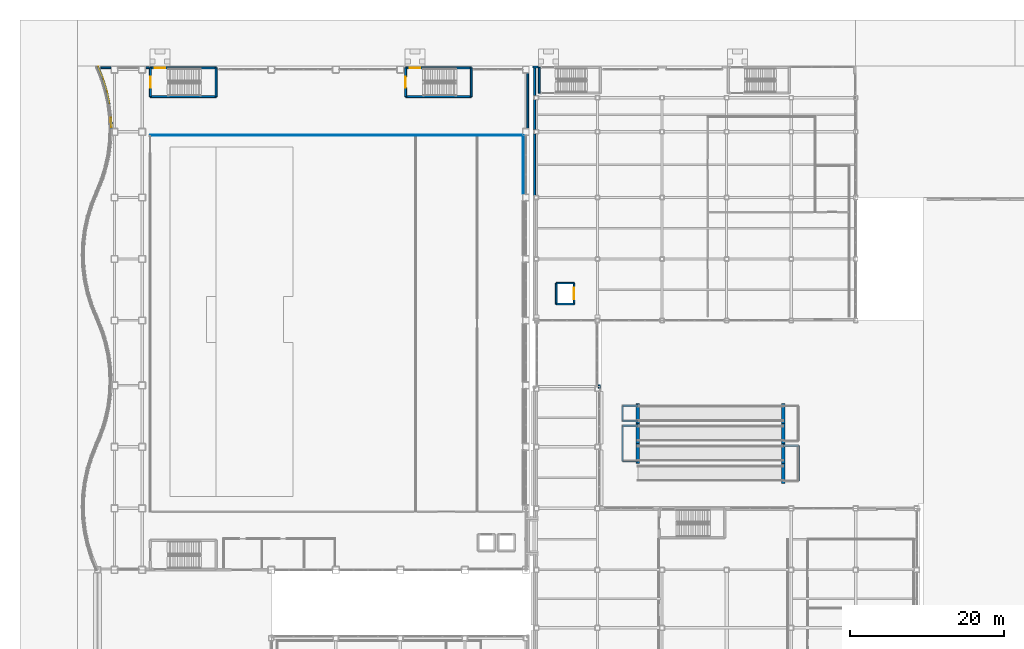
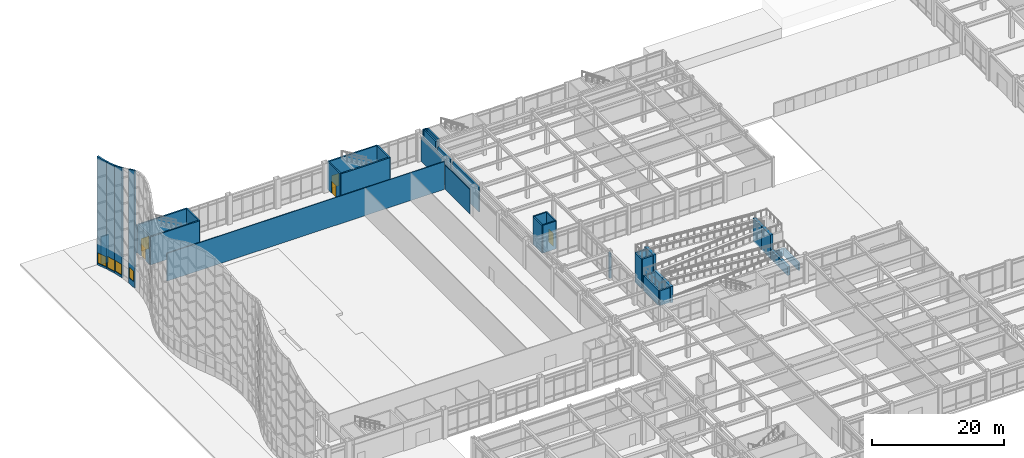
# One storey, part 132 of 165: 42 walls, 5 doors, 4 windows, 9 openings.
"""IFC4 building model written with IfcOpenShell, lengths in metres."""

from ifc_helpers import new_model, si_unit, direction, frame, frame_2d, origin, place, context, subcontext, project, spatial, polyline, rectangle, outline, extrude, material, layer, layer_set, type_object, element, fill, save


model = new_model("IFC4")

# Units and contexts
model_context = context("Model", 3, precision=1e-05, world=origin(), true_north=direction((0.0, 1.0)))
body_context = subcontext(model_context, "Body", "Model", "MODEL_VIEW")
ifc_project = project(units=[si_unit("LENGTHUNIT", "METRE"), si_unit("AREAUNIT", "SQUARE_METRE"), si_unit("VOLUMEUNIT", "CUBIC_METRE"), si_unit("PLANEANGLEUNIT", "RADIAN"), si_unit("MASSUNIT", "GRAM", prefix="KILO")], contexts=[model_context])

# Site, building, storey
site_placement = place(None, origin())
site = spatial("IfcSite", under=ifc_project, at=site_placement, CompositionType="ELEMENT")
building_placement = place(site_placement, origin())
building = spatial("IfcBuilding", under=site, at=building_placement, Name="Kazehara Bluff Congress Hotel", CompositionType="ELEMENT")
storey_placement = place(building_placement, origin())
storey = spatial("IfcBuildingStorey", under=building, at=storey_placement, Name="L00", CompositionType="ELEMENT", Elevation=0.0)

# Wall, opening, door
ifc_material_1 = material(Name="Concrete C40/50", Category="concrete")
ifc_layer_1 = layer(ifc_material_1, 0.25)
ifc_layer_set_1 = layer_set([ifc_layer_1], Name="Concrete C40/50")
wall_type_1 = type_object("IfcWallType", Name="TP-CW-RC", PredefinedType="SHEAR", material=ifc_layer_set_1)
wall_1_placement = place(storey_placement, frame((9.47509765625, 110.02490234375, 0.0), z_axis=(0.0, 0.0, 1.0), x_axis=(0.0, 1.0, 0.0)))
wall_1 = element("IfcWall", 1, at=wall_1_placement, inside=storey, type_object=wall_type_1, Name="L00 ST-01 core wall near", PredefinedType="SHEAR", context=body_context, shape_type="SweptSolid", body=[
    extrude(rectangle(XDim=3.75, YDim=0.25, at=frame_2d((1.875, 0.0))), origin(), (0.0, 0.0, 1.0), 5.14990234375),
])
opening_1_placement = place(wall_1_placement, frame((1.175048828125, 0.0, 0.0)))
opening_1 = element("IfcOpeningElement", 2, at=opening_1_placement, cuts=wall_1, Name="Opening FD-03", PredefinedType="OPENING", context=body_context, shape_type="SweptSolid", body=[
    extrude(rectangle(XDim=1.39990234375, YDim=2.25, at=frame_2d((0.699951171875, 1.125))), frame((0.0, 0.135009765625, 0.0), z_axis=(0.0, -1.0, 0.0), x_axis=(1.0, 0.0, 0.0)), (0.0, 0.0, 1.0), 0.27001953125),
])
ifc_material_2 = material(Name="Fire-rated painted steel leaf", Category="steel")
door_type_1 = type_object("IfcDoorType", Name="TP-FD-03", OperationType="NOTDEFINED", PredefinedType="DOOR", material=ifc_material_2)
door_1_placement = place(opening_1_placement, origin())
door_1 = element("IfcDoor", 3, at=door_1_placement, inside=storey, type_object=door_type_1, Name="L00 ST-01 fire stair door", OperationType="SINGLE_SWING_LEFT", OverallHeight=2.25, OverallWidth=1.39990234375, PredefinedType="DOOR", context=body_context, shape_type="SweptSolid", body=[
    extrude(rectangle(XDim=1.39990234375, YDim=2.25, at=frame_2d((0.699951171875, 1.125))), frame((0.0, 0.02490234375, 0.0), z_axis=(0.0, -1.0, 0.0), x_axis=(1.0, 0.0, 0.0)), (0.0, 0.0, 1.0), 0.050048828125),
])
fill(opening_1, door_1)

# Walls
wall_2_placement = place(storey_placement, frame((18.02490234375, 113.77490234375, 0.0), z_axis=(0.0, 0.0, 1.0), x_axis=(0.0, -1.0, 0.0)))
element("IfcWall", 4, at=wall_2_placement, inside=storey, type_object=wall_type_1, Name="L00 ST-01 core wall far", PredefinedType="SHEAR", context=body_context, shape_type="SweptSolid", body=[
    extrude(rectangle(XDim=3.75, YDim=0.25, at=frame_2d((1.875, 0.0))), origin(), (0.0, 0.0, 1.0), 5.14990234375),
])
wall_3_placement = place(storey_placement, frame((18.02490234375, 110.02490234375, 0.0), z_axis=(0.0, 0.0, 1.0), x_axis=(-1.0, 0.0, 0.0)))
element("IfcWall", 5, at=wall_3_placement, inside=storey, type_object=wall_type_1, Name="L00 ST-01 core wall left", PredefinedType="SHEAR", context=body_context, shape_type="SweptSolid", body=[
    extrude(rectangle(XDim=8.5498046875, YDim=0.25, at=frame_2d((4.27490234375, 0.0))), origin(), (0.0, 0.0, 1.0), 5.14990234375),
])

# Wall, opening, door
wall_4_placement = place(storey_placement, frame((9.47509765625, 113.77490234375, 0.0), z_axis=(0.0, 0.0, 1.0), x_axis=(1.0, 0.0, 0.0)))
wall_4 = element("IfcWall", 6, at=wall_4_placement, inside=storey, type_object=wall_type_1, Name="L00 ST-01 core wall right", PredefinedType="SHEAR", context=body_context, shape_type="SweptSolid", body=[
    extrude(rectangle(XDim=8.5498046875, YDim=0.25, at=frame_2d((4.27490234375, 0.0))), origin(), (0.0, 0.0, 1.0), 5.14990234375),
])
opening_2_placement = place(wall_4_placement, frame((0.550048828125, 0.0, 0.0)))
opening_2 = element("IfcOpeningElement", 7, at=opening_2_placement, cuts=wall_4, Name="Opening ED-09", PredefinedType="OPENING", context=body_context, shape_type="SweptSolid", body=[
    extrude(rectangle(XDim=1.35009765625, YDim=2.300048828125, at=frame_2d((0.675048828125, 1.14990234375))), frame((0.0, 0.135009765625, 0.0), z_axis=(0.0, -1.0, 0.0), x_axis=(1.0, 0.0, 0.0)), (0.0, 0.0, 1.0), 0.27001953125),
])
ifc_material_3 = material(Name="Anodised aluminium", Category="aluminium")
door_type_2 = type_object("IfcDoorType", Name="TP-ED-09", OperationType="NOTDEFINED", PredefinedType="DOOR", material=ifc_material_3)
door_2_placement = place(opening_2_placement, origin())
door_2 = element("IfcDoor", 8, at=door_2_placement, inside=storey, type_object=door_type_2, Name="Escape Stair ST-01 final exit discharge door", OperationType="SINGLE_SWING_LEFT", OverallHeight=2.300048828125, OverallWidth=1.35009765625, PredefinedType="DOOR", context=body_context, shape_type="SweptSolid", body=[
    extrude(rectangle(XDim=1.35009765625, YDim=2.300048828125, at=frame_2d((0.675048828125, 1.14990234375))), frame((0.0, 0.02490234375, 0.0), z_axis=(0.0, -1.0, 0.0), x_axis=(1.0, 0.0, 0.0)), (0.0, 0.0, 1.0), 0.050048828125),
])
fill(opening_2, door_2)

wall_5_placement = place(storey_placement, frame((42.675048828125, 110.02490234375, 0.0), z_axis=(0.0, 0.0, 1.0), x_axis=(0.0, 1.0, 0.0)))
wall_5 = element("IfcWall", 9, at=wall_5_placement, inside=storey, type_object=wall_type_1, Name="L00 ST-02 core wall near", PredefinedType="SHEAR", context=body_context, shape_type="SweptSolid", body=[
    extrude(rectangle(XDim=3.75, YDim=0.25, at=frame_2d((1.875, 0.0))), origin(), (0.0, 0.0, 1.0), 5.14990234375),
])
opening_3_placement = place(wall_5_placement, frame((1.175048828125, 0.0, 0.0)))
opening_3 = element("IfcOpeningElement", 10, at=opening_3_placement, cuts=wall_5, Name="Opening FD-03", PredefinedType="OPENING", context=body_context, shape_type="SweptSolid", body=[
    extrude(rectangle(XDim=1.39990234375, YDim=2.25, at=frame_2d((0.699951171875, 1.125))), frame((0.0, 0.135009765625, 0.0), z_axis=(0.0, -1.0, 0.0), x_axis=(1.0, 0.0, 0.0)), (0.0, 0.0, 1.0), 0.27001953125),
])
door_3_placement = place(opening_3_placement, origin())
door_3 = element("IfcDoor", 11, at=door_3_placement, inside=storey, type_object=door_type_1, Name="L00 ST-02 fire stair door", OperationType="SINGLE_SWING_RIGHT", OverallHeight=2.25, OverallWidth=1.39990234375, PredefinedType="DOOR", context=body_context, shape_type="SweptSolid", body=[
    extrude(rectangle(XDim=1.39990234375, YDim=2.25, at=frame_2d((0.699951171875, 1.125))), frame((0.0, 0.02490234375, 0.0), z_axis=(0.0, -1.0, 0.0), x_axis=(1.0, 0.0, 0.0)), (0.0, 0.0, 1.0), 0.050048828125),
])
fill(opening_3, door_3)

# Walls
wall_6_placement = place(storey_placement, frame((51.22509765625, 113.77490234375, 0.0), z_axis=(0.0, 0.0, 1.0), x_axis=(0.0, -1.0, 0.0)))
element("IfcWall", 12, at=wall_6_placement, inside=storey, type_object=wall_type_1, Name="L00 ST-02 core wall far", PredefinedType="SHEAR", context=body_context, shape_type="SweptSolid", body=[
    extrude(rectangle(XDim=3.75, YDim=0.25, at=frame_2d((1.875, 0.0))), origin(), (0.0, 0.0, 1.0), 5.14990234375),
])
wall_7_placement = place(storey_placement, frame((51.22509765625, 110.02490234375, 0.0), z_axis=(0.0, 0.0, 1.0), x_axis=(-1.0, 0.0, 0.0)))
element("IfcWall", 13, at=wall_7_placement, inside=storey, type_object=wall_type_1, Name="L00 ST-02 core wall left", PredefinedType="SHEAR", context=body_context, shape_type="SweptSolid", body=[
    extrude(rectangle(XDim=8.550048828125, YDim=0.25, at=frame_2d((4.27490234375, 0.0))), origin(), (0.0, 0.0, 1.0), 5.14990234375),
])

# Wall, opening, door
wall_8_placement = place(storey_placement, frame((42.675048828125, 113.77490234375, 0.0), z_axis=(0.0, 0.0, 1.0), x_axis=(1.0, 0.0, 0.0)))
wall_8 = element("IfcWall", 14, at=wall_8_placement, inside=storey, type_object=wall_type_1, Name="L00 ST-02 core wall right", PredefinedType="SHEAR", context=body_context, shape_type="SweptSolid", body=[
    extrude(rectangle(XDim=8.550048828125, YDim=0.25, at=frame_2d((4.27490234375, 0.0))), origin(), (0.0, 0.0, 1.0), 5.14990234375),
])
opening_4_placement = place(wall_8_placement, frame((0.550048828125, 0.0, 0.0)))
opening_4 = element("IfcOpeningElement", 15, at=opening_4_placement, cuts=wall_8, Name="Opening ED-09", PredefinedType="OPENING", context=body_context, shape_type="SweptSolid", body=[
    extrude(rectangle(XDim=1.35009765625, YDim=2.300048828125, at=frame_2d((0.675048828125, 1.14990234375))), frame((0.0, 0.135009765625, 0.0), z_axis=(0.0, -1.0, 0.0), x_axis=(1.0, 0.0, 0.0)), (0.0, 0.0, 1.0), 0.27001953125),
])
door_4_placement = place(opening_4_placement, origin())
door_4 = element("IfcDoor", 16, at=door_4_placement, inside=storey, type_object=door_type_2, Name="Escape Stair ST-02 final exit discharge door", OperationType="SINGLE_SWING_RIGHT", OverallHeight=2.300048828125, OverallWidth=1.35009765625, PredefinedType="DOOR", context=body_context, shape_type="SweptSolid", body=[
    extrude(rectangle(XDim=1.35009765625, YDim=2.300048828125, at=frame_2d((0.675048828125, 1.14990234375))), frame((0.0, 0.02490234375, 0.0), z_axis=(0.0, -1.0, 0.0), x_axis=(1.0, 0.0, 0.0)), (0.0, 0.0, 1.0), 0.050048828125),
])
fill(opening_4, door_4)

# Walls
wall_9_placement = place(storey_placement, frame((60.074951171875, 110.47509765625, 0.0), z_axis=(0.0, 0.0, 1.0), x_axis=(0.0, 1.0, 0.0)))
element("IfcWall", 17, at=wall_9_placement, inside=storey, type_object=wall_type_1, Name="L00 ST-06 core wall near", PredefinedType="SHEAR", context=body_context, shape_type="SweptSolid", body=[
    extrude(rectangle(XDim=3.349853515625, YDim=0.25, at=frame_2d((1.6748046875, 0.0))), origin(), (0.0, 0.0, 1.0), 5.14990234375),
])
ifc_material_4 = material(Name="Precast concrete C40/50", Category="concrete")
ifc_layer_2 = layer(ifc_material_4, 0.239990234375)
ifc_layer_set_2 = layer_set([ifc_layer_2], Name="Precast concrete C40/50")
wall_type_2 = type_object("IfcWallType", Name="TP-EW-240", PredefinedType="SOLIDWALL", material=ifc_layer_set_2)
wall_10_placement = place(storey_placement, frame((58.580078125, 113.10009765625, 0.0), z_axis=(0.0, 0.0, 1.0), x_axis=(0.0, -1.0, 0.0)))
element("IfcWall", 18, at=wall_10_placement, inside=storey, type_object=wall_type_2, Name="L00 V1 perimeter spandrel pier 501", PredefinedType="SOLIDWALL", context=body_context, shape_type="SweptSolid", body=[
    extrude(rectangle(XDim=7.2001953125, YDim=0.239990234375, at=frame_2d((3.60009765625, 0.0))), origin(), (0.0, 0.0, 1.0), 4.47509765625),
])
wall_11_placement = place(storey_placement, frame((3.010009765625, 113.780029296875, 0.0), z_axis=(0.0, 0.0, 1.0), x_axis=(1.0, 0.0, 0.0)))
element("IfcWall", 19, at=wall_11_placement, inside=storey, type_object=wall_type_2, Name="L00 V1 perimeter spandrel pier 502", PredefinedType="SOLIDWALL", context=body_context, shape_type="SweptSolid", body=[
    extrude(rectangle(XDim=1.340087890625, YDim=0.239990234375, at=frame_2d((0.669921875, 0.0))), origin(), (0.0, 0.0, 1.0), 5.135009765625),
])
wall_12_placement = place(storey_placement, frame((8.85009765625, 113.780029296875, 0.0), z_axis=(0.0, 0.0, 1.0), x_axis=(1.0, 0.0, 0.0)))
element("IfcWall", 20, at=wall_12_placement, inside=storey, type_object=wall_type_2, Name="L00 V1 perimeter spandrel pier 503", PredefinedType="SOLIDWALL", context=body_context, shape_type="SweptSolid", body=[
    extrude(rectangle(XDim=0.489990234375, YDim=0.239990234375, at=frame_2d((0.2451171875, 0.0))), origin(), (0.0, 0.0, 1.0), 5.135009765625),
])
wall_13_placement = place(storey_placement, frame((59.25, 113.8798828125, 0.0), z_axis=(0.0, 0.0, 1.0), x_axis=(1.0, 0.0, 0.0)))
element("IfcWall", 21, at=wall_13_placement, inside=storey, type_object=wall_type_2, Name="L00 V3 perimeter spandrel pier 517", PredefinedType="SOLIDWALL", context=body_context, shape_type="SweptSolid", body=[
    extrude(rectangle(XDim=0.68994140625, YDim=0.239990234375, at=frame_2d((0.344970703125, 0.0))), origin(), (0.0, 0.0, 1.0), 5.135009765625),
])
wall_14_placement = place(storey_placement, frame((59.469970703125, 97.175048828125, 0.0), z_axis=(0.0, 0.0, 1.0), x_axis=(0.0, 1.0, 0.0)))
element("IfcWall", 22, at=wall_14_placement, inside=storey, type_object=wall_type_2, Name="L00 V3 perimeter spandrel pier 522", PredefinedType="SOLIDWALL", context=body_context, shape_type="SweptSolid", body=[
    extrude(rectangle(XDim=8.0, YDim=0.239990234375, at=frame_2d((4.0, 0.0))), origin(), (0.0, 0.0, 1.0), 4.47509765625),
])
wall_15_placement = place(storey_placement, frame((59.469970703125, 105.72509765625, 0.0), z_axis=(0.0, 0.0, 1.0), x_axis=(0.0, 1.0, 0.0)))
element("IfcWall", 23, at=wall_15_placement, inside=storey, type_object=wall_type_2, Name="L00 V3 perimeter spandrel pier 523", PredefinedType="SOLIDWALL", context=body_context, shape_type="SweptSolid", body=[
    extrude(rectangle(XDim=3.89990234375, YDim=0.239990234375, at=frame_2d((1.949951171875, 0.0))), origin(), (0.0, 0.0, 1.0), 4.47509765625),
])
wall_16_placement = place(storey_placement, frame((59.469970703125, 110.175048828125, 0.0), z_axis=(0.0, 0.0, 1.0), x_axis=(0.0, 1.0, 0.0)))
element("IfcWall", 24, at=wall_16_placement, inside=storey, type_object=wall_type_2, Name="L00 V3 perimeter spandrel pier 524", PredefinedType="SOLIDWALL", context=body_context, shape_type="SweptSolid", body=[
    extrude(rectangle(XDim=3.574951171875, YDim=0.239990234375, at=frame_2d((1.78759765625, 0.0))), origin(), (0.0, 0.0, 1.0), 5.135009765625),
])
wall_17_placement = place(storey_placement, frame((67.8798828125, 72.550048828125, 0.0), z_axis=(0.0, 0.0, 1.0), x_axis=(0.0, -1.0, 0.0)))
element("IfcWall", 25, at=wall_17_placement, inside=storey, type_object=wall_type_2, Name="L00 V4 perimeter spandrel pier 534", PredefinedType="SOLIDWALL", context=body_context, shape_type="SweptSolid", body=[
    extrude(rectangle(XDim=0.4599609375, YDim=0.239990234375, at=frame_2d((0.22998046875, 0.0))), origin(), (0.0, 0.0, 1.0), 4.625),
])

# Wall, opening, window
ifc_material_5 = material(Name="Precast concrete C40/50", Category="concrete")
ifc_layer_3 = layer(ifc_material_5, 0.280029296875)
ifc_layer_set_3 = layer_set([ifc_layer_3], Name="Precast concrete C40/50")
wall_type_3 = type_object("IfcWallType", Name="TP-EW-280", PredefinedType="SOLIDWALL", material=ifc_layer_set_3)
wall_18_placement = place(storey_placement, frame((4.405029296875, 105.804931640625, 0.0), z_axis=(0.0, 0.0, 1.0), x_axis=(-0.042682116378, 0.99908870324, 0.0)))
wall_18 = element("IfcWall", 26, at=wall_18_placement, inside=storey, type_object=wall_type_3, Name="Wave ribbon wall WR-V1 chord 36", PredefinedType="SOLIDWALL", context=body_context, shape_type="SweptSolid", body=[
    extrude(outline(polyline([(0.0, 0.0), (1.6416015625, 0.0), (1.639892578125, 21.0048828125), (1.43505859375, 21.094970703125), (1.22998046875, 21.18505859375), (1.02490234375, 21.27490234375), (0.820068359375, 21.364990234375), (0.614990234375, 21.455078125), (0.409912109375, 21.544921875), (0.205078125, 21.6298828125), (0.0, 21.7099609375), (0.0, 0.0)])), frame((0.0, 0.14013671875, 0.0), z_axis=(0.0, -1.0, 0.0), x_axis=(1.0, 0.0, 0.0)), (0.0, 0.0, 1.0), 0.280029296875),
])
opening_5_placement = place(wall_18_placement, frame((0.25, 0.0, 1.050048828125)))
opening_5 = element("IfcOpeningElement", 27, at=opening_5_placement, cuts=wall_18, Name="Opening WW-04", PredefinedType="OPENING", context=body_context, shape_type="SweptSolid", body=[
    extrude(rectangle(XDim=1.25, YDim=1.949951171875, at=frame_2d((0.625, 0.97509765625))), frame((0.0, 0.14990234375, 0.0), z_axis=(0.0, -1.0, 0.0), x_axis=(1.0, 0.0, 0.0)), (0.0, 0.0, 1.0), 0.300048828125),
])
ifc_material_6 = material(Name="Insulated low-E double glazing", Category="glass")
window_type_1 = type_object("IfcWindowType", Name="TP-WW-04", PartitioningType="SINGLE_PANEL", PredefinedType="WINDOW", material=ifc_material_6)
window_1_placement = place(opening_5_placement, origin())
window_1 = element("IfcWindow", 28, at=window_1_placement, inside=storey, type_object=window_type_1, Name="Wave foyer ribbon window WR-V1-36", OverallHeight=1.949951171875, OverallWidth=1.25, PartitioningType="SINGLE_PANEL", PredefinedType="WINDOW", context=body_context, shape_type="SweptSolid", body=[
    extrude(rectangle(XDim=1.25, YDim=1.949951171875, at=frame_2d((0.625, 0.97509765625))), frame((0.0, 0.030029296875, 0.0), z_axis=(0.0, -1.0, 0.0), x_axis=(1.0, 0.0, 0.0)), (0.0, 0.0, 1.0), 0.06005859375),
])
fill(opening_5, window_1)

wall_19_placement = place(storey_placement, frame((4.1298828125, 109.0849609375, 0.0), z_axis=(0.0, 0.0, 1.0), x_axis=(-0.212169138818, 0.977232959193, 0.0)))
wall_19 = element("IfcWall", 29, at=wall_19_placement, inside=storey, type_object=wall_type_3, Name="Wave ribbon wall WR-V1 chord 38", PredefinedType="SOLIDWALL", context=body_context, shape_type="SweptSolid", body=[
    extrude(outline(polyline([(0.0, 0.0), (1.673095703125, 0.0), (1.675048828125, 19.875), (1.465087890625, 19.9150390625), (1.2548828125, 19.9599609375), (1.044921875, 20.010009765625), (0.840087890625, 20.06494140625), (0.6298828125, 20.125), (0.419921875, 20.18994140625), (0.2099609375, 20.260009765625), (0.0, 20.3349609375), (0.0, 0.0)])), frame((0.0, 0.14013671875, 0.0), z_axis=(0.0, -1.0, 0.0), x_axis=(1.0, 0.0, 0.0)), (0.0, 0.0, 1.0), 0.280029296875),
])
opening_6_placement = place(wall_19_placement, frame((0.090087890625, 0.0, 0.445068359375)))
opening_6 = element("IfcOpeningElement", 30, at=opening_6_placement, cuts=wall_19, Name="Opening WW-06", PredefinedType="OPENING", context=body_context, shape_type="SweptSolid", body=[
    extrude(rectangle(XDim=1.4951171875, YDim=2.0, at=frame_2d((0.74755859375, 1.0))), frame((0.0, 0.14990234375, 0.0), z_axis=(0.0, -1.0, 0.0), x_axis=(1.0, 0.0, 0.0)), (0.0, 0.0, 1.0), 0.300048828125),
])
ifc_material_7 = material(Name="Insulated low-E double glazing", Category="glass")
window_type_2 = type_object("IfcWindowType", Name="TP-WW-06", PartitioningType="DOUBLE_PANEL_VERTICAL", PredefinedType="WINDOW", material=ifc_material_7)
window_2_placement = place(opening_6_placement, origin())
window_2 = element("IfcWindow", 31, at=window_2_placement, inside=storey, type_object=window_type_2, Name="Wave foyer ribbon window WR-V1-38", OverallHeight=2.0, OverallWidth=1.4951171875, PartitioningType="SINGLE_PANEL", PredefinedType="WINDOW", context=body_context, shape_type="SweptSolid", body=[
    extrude(rectangle(XDim=1.4951171875, YDim=2.0, at=frame_2d((0.74755859375, 1.0))), frame((0.0, 0.030029296875, 0.0), z_axis=(0.0, -1.0, 0.0), x_axis=(1.0, 0.0, 0.0)), (0.0, 0.0, 1.0), 0.06005859375),
])
fill(opening_6, window_2)

wall_20_placement = place(storey_placement, frame((3.77490234375, 110.719970703125, 0.0), z_axis=(0.0, 0.0, 1.0), x_axis=(-0.294205811251, 0.955742088969, 0.0)))
wall_20 = element("IfcWall", 32, at=wall_20_placement, inside=storey, type_object=wall_type_3, Name="Wave ribbon wall WR-V1 chord 39", PredefinedType="SOLIDWALL", context=body_context, shape_type="SweptSolid", body=[
    extrude(outline(polyline([(0.0, 0.0), (1.716064453125, 0.0), (1.715087890625, 19.760009765625), (1.5, 19.75), (1.284912109375, 19.75), (1.070068359375, 19.7548828125), (0.860107421875, 19.764892578125), (0.64501953125, 19.784912109375), (0.429931640625, 19.81005859375), (0.215087890625, 19.8349609375), (0.0, 19.875), (0.0, 0.0)])), frame((0.0, 0.14013671875, 0.0), z_axis=(0.0, -1.0, 0.0), x_axis=(1.0, 0.0, 0.0)), (0.0, 0.0, 1.0), 0.280029296875),
])
opening_7_placement = place(wall_20_placement, frame((0.090087890625, 0.0, 0.31005859375)))
opening_7 = element("IfcOpeningElement", 33, at=opening_7_placement, cuts=wall_20, Name="Opening WW-07", PredefinedType="OPENING", context=body_context, shape_type="SweptSolid", body=[
    extrude(rectangle(XDim=1.534912109375, YDim=2.10009765625, at=frame_2d((0.767578125, 1.050048828125))), frame((0.0, 0.14990234375, 0.0), z_axis=(0.0, -1.0, 0.0), x_axis=(1.0, 0.0, 0.0)), (0.0, 0.0, 1.0), 0.300048828125),
])
ifc_material_8 = material(Name="Insulated low-E double glazing", Category="glass")
window_type_3 = type_object("IfcWindowType", Name="TP-WW-07", PartitioningType="DOUBLE_PANEL_VERTICAL", PredefinedType="WINDOW", material=ifc_material_8)
window_3_placement = place(opening_7_placement, origin())
window_3 = element("IfcWindow", 34, at=window_3_placement, inside=storey, type_object=window_type_3, Name="Wave foyer ribbon window WR-V1-39", OverallHeight=2.10009765625, OverallWidth=1.534912109375, PartitioningType="SINGLE_PANEL", PredefinedType="WINDOW", context=body_context, shape_type="SweptSolid", body=[
    extrude(rectangle(XDim=1.534912109375, YDim=2.10009765625, at=frame_2d((0.767578125, 1.050048828125))), frame((0.0, 0.030029296875, 0.0), z_axis=(0.0, -1.0, 0.0), x_axis=(1.0, 0.0, 0.0)), (0.0, 0.0, 1.0), 0.06005859375),
])
fill(opening_7, window_3)

wall_21_placement = place(storey_placement, frame((3.27001953125, 112.360107421875, 0.0), z_axis=(0.0, 0.0, 1.0), x_axis=(-0.378176653847, 0.925733448939, 0.0)))
wall_21 = element("IfcWall", 35, at=wall_21_placement, inside=storey, type_object=wall_type_3, Name="Wave ribbon wall WR-V1 chord 40", PredefinedType="SOLIDWALL", context=body_context, shape_type="SweptSolid", body=[
    extrude(outline(polyline([(0.0, 0.0), (1.771484375, 0.0), (1.77001953125, 20.054931640625), (1.550048828125, 19.9951171875), (1.330078125, 19.945068359375), (1.10498046875, 19.89990234375), (0.885009765625, 19.85498046875), (0.6650390625, 19.824951171875), (0.43994140625, 19.794921875), (0.219970703125, 19.77490234375), (0.0, 19.760009765625), (0.0, 0.0)])), frame((0.0, 0.14013671875, 0.0), z_axis=(0.0, -1.0, 0.0), x_axis=(1.0, 0.0, 0.0)), (0.0, 0.0, 1.0), 0.280029296875),
])
opening_8_placement = place(wall_21_placement, frame((0.090087890625, 0.0, 0.35009765625)))
opening_8 = element("IfcOpeningElement", 36, at=opening_8_placement, cuts=wall_21, Name="Opening WW-08", PredefinedType="OPENING", context=body_context, shape_type="SweptSolid", body=[
    extrude(rectangle(XDim=1.590087890625, YDim=1.89990234375, at=frame_2d((0.794921875, 0.949951171875))), frame((0.0, 0.14990234375, 0.0), z_axis=(0.0, -1.0, 0.0), x_axis=(1.0, 0.0, 0.0)), (0.0, 0.0, 1.0), 0.300048828125),
])
ifc_material_9 = material(Name="Insulated low-E double glazing", Category="glass")
window_type_4 = type_object("IfcWindowType", Name="TP-WW-08", PartitioningType="SINGLE_PANEL", PredefinedType="WINDOW", material=ifc_material_9)
window_4_placement = place(opening_8_placement, origin())
window_4 = element("IfcWindow", 37, at=window_4_placement, inside=storey, type_object=window_type_4, Name="Wave foyer ribbon window WR-V1-40", OverallHeight=1.89990234375, OverallWidth=1.590087890625, PartitioningType="SINGLE_PANEL", PredefinedType="WINDOW", context=body_context, shape_type="SweptSolid", body=[
    extrude(rectangle(XDim=1.590087890625, YDim=1.89990234375, at=frame_2d((0.794921875, 0.949951171875))), frame((0.0, 0.030029296875, 0.0), z_axis=(0.0, -1.0, 0.0), x_axis=(1.0, 0.0, 0.0)), (0.0, 0.0, 1.0), 0.06005859375),
])
fill(opening_8, window_4)

# Walls
ifc_material_10 = material(Name="Fire-rated gypsum board stud partition")
ifc_layer_4 = layer(ifc_material_10, 0.1298828125)
ifc_layer_set_4 = layer_set([ifc_layer_4], Name="Fire-rated gypsum board stud partition")
wall_type_4 = type_object("IfcWallType", Name="TP-PT-130", PredefinedType="PARTITIONING", material=ifc_layer_set_4)
wall_22_placement = place(storey_placement, frame((9.449951171875, 105.0, 0.0), z_axis=(0.0, 0.0, 1.0), x_axis=(1.0, 0.0, 0.0)))
element("IfcWall", 38, at=wall_22_placement, inside=storey, type_object=wall_type_4, Name="L00 partition PT-130 90", PredefinedType="PARTITIONING", context=body_context, shape_type="SweptSolid", body=[
    extrude(rectangle(XDim=48.429931640625, YDim=0.1298828125, at=frame_2d((24.21484375, 0.0))), origin(), (0.0, 0.0, 1.0), 5.135009765625),
])
wall_23_placement = place(storey_placement, frame((58.0, 97.3701171875, 0.0), z_axis=(0.0, 0.0, 1.0), x_axis=(0.0, 1.0, 0.0)))
element("IfcWall", 39, at=wall_23_placement, inside=storey, type_object=wall_type_4, Name="L00 partition PT-130 112", PredefinedType="PARTITIONING", context=body_context, shape_type="SweptSolid", body=[
    extrude(rectangle(XDim=7.60986328125, YDim=0.1298828125, at=frame_2d((3.804931640625, 0.0))), origin(), (0.0, 0.0, 1.0), 4.47509765625),
])
ifc_material_11 = material(Name="Concrete C40/50", Category="concrete")
ifc_layer_5 = layer(ifc_material_11, 0.27001953125)
ifc_layer_set_5 = layer_set([ifc_layer_5], Name="Concrete C40/50")
wall_type_5 = type_object("IfcWallType", Name="TP-RW-RML", PredefinedType="SHEAR", material=ifc_layer_set_5)
wall_24_placement = place(storey_placement, frame((93.800048828125, 60.0, -0.280029296875), z_axis=(0.0, 0.0, 1.0), x_axis=(0.0, 1.0, 0.0)))
element("IfcWall", 40, at=wall_24_placement, inside=storey, type_object=wall_type_5, Name="Accessible bluff garden ramp R2 landing wall 6", PredefinedType="SHEAR", context=body_context, shape_type="SweptSolid", body=[
    extrude(rectangle(XDim=4.60009765625, YDim=0.27001953125, at=frame_2d((2.300048828125, 0.0))), origin(), (0.0, 0.0, 1.0), 1.380126953125),
])
wall_25_placement = place(storey_placement, frame((91.800048828125, 64.60009765625, -0.280029296875), z_axis=(0.0, 0.0, 1.0), x_axis=(1.0, 0.0, 0.0)))
element("IfcWall", 41, at=wall_25_placement, inside=storey, type_object=wall_type_5, Name="Accessible bluff garden ramp R2 landing wall 7", PredefinedType="SHEAR", context=body_context, shape_type="SweptSolid", body=[
    extrude(rectangle(XDim=2.0, YDim=0.27001953125, at=frame_2d((1.0, 0.0))), origin(), (0.0, 0.0, 1.0), 1.380126953125),
])
wall_26_placement = place(storey_placement, frame((70.89990234375, 62.60009765625, -0.280029296875), z_axis=(0.0, 0.0, 1.0), x_axis=(1.0, 0.0, 0.0)))
element("IfcWall", 42, at=wall_26_placement, inside=storey, type_object=wall_type_5, Name="Accessible bluff garden ramp R2 landing wall 11", PredefinedType="SHEAR", context=body_context, shape_type="SweptSolid", body=[
    extrude(rectangle(XDim=2.0, YDim=0.27001953125, at=frame_2d((1.0, 0.0))), origin(), (0.0, 0.0, 1.0), 2.72998046875),
])
wall_27_placement = place(storey_placement, frame((70.89990234375, 62.60009765625, -0.280029296875), z_axis=(0.0, 0.0, 1.0), x_axis=(0.0, 1.0, 0.0)))
element("IfcWall", 43, at=wall_27_placement, inside=storey, type_object=wall_type_5, Name="Accessible bluff garden ramp R2 landing wall 12", PredefinedType="SHEAR", context=body_context, shape_type="SweptSolid", body=[
    extrude(rectangle(XDim=4.599853515625, YDim=0.27001953125, at=frame_2d((2.2998046875, 0.0))), origin(), (0.0, 0.0, 1.0), 2.72998046875),
])
wall_28_placement = place(storey_placement, frame((70.89990234375, 67.199951171875, -0.280029296875), z_axis=(0.0, 0.0, 1.0), x_axis=(1.0, 0.0, 0.0)))
element("IfcWall", 44, at=wall_28_placement, inside=storey, type_object=wall_type_5, Name="Accessible bluff garden ramp R2 landing wall 13", PredefinedType="SHEAR", context=body_context, shape_type="SweptSolid", body=[
    extrude(rectangle(XDim=2.0, YDim=0.27001953125, at=frame_2d((1.0, 0.0))), origin(), (0.0, 0.0, 1.0), 2.72998046875),
])
for number, where, z_axis, x_axis, name in (
    (45, (70.89990234375, 67.800048828125, -0.280029296875), (0.0, 0.0, 1.0), (1.0, 0.0, 0.0), "Accessible bluff garden ramp R2 landing wall 23"),
    (46, (70.89990234375, 67.800048828125, -0.280029296875), (0.0, 0.0, 1.0), (0.0, 1.0, 0.0), "Accessible bluff garden ramp R2 landing wall 24"),
    (47, (70.89990234375, 69.800048828125, -0.280029296875), (0.0, 0.0, 1.0), (1.0, 0.0, 0.0), "Accessible bluff garden ramp R2 landing wall 25"),
):
    element("IfcWall", number, at=place(storey_placement, frame(where, z_axis=z_axis, x_axis=x_axis)), inside=storey, type_object=wall_type_5, Name=name, PredefinedType="SHEAR", context=body_context, shape_type="SweptSolid", body=[
        extrude(rectangle(XDim=2.0, YDim=0.27001953125, at=frame_2d((1.0, 0.0))), origin(), (0.0, 0.0, 1.0), 5.429931640625),
    ])
ifc_material_12 = material(Name="Concrete C40/50", Category="concrete")
ifc_layer_6 = layer(ifc_material_12, 0.449951171875)
ifc_layer_set_6 = layer_set([ifc_layer_6], Name="Concrete C40/50")
wall_type_6 = type_object("IfcWallType", Name="TP-RW-RMP", PredefinedType="SHEAR", material=ifc_layer_set_6)
wall_29_placement = place(storey_placement, frame((91.800048828125, 59.68994140625, -0.280029296875), z_axis=(0.0, 0.0, 1.0), x_axis=(0.0, 1.0, 0.0)))
element("IfcWall", 48, at=wall_29_placement, inside=storey, type_object=wall_type_6, Name="Accessible bluff garden ramp R2 bearing pier wall 29", PredefinedType="SHEAR", context=body_context, shape_type="SweptSolid", body=[
    extrude(rectangle(XDim=2.6201171875, YDim=0.449951171875, at=frame_2d((1.31005859375, 0.0))), origin(), (0.0, 0.0, 1.0), 1.630126953125),
])
wall_30_placement = place(storey_placement, frame((91.800048828125, 62.2900390625, -0.280029296875), z_axis=(0.0, 0.0, 1.0), x_axis=(0.0, 1.0, 0.0)))
element("IfcWall", 49, at=wall_30_placement, inside=storey, type_object=wall_type_6, Name="Accessible bluff garden ramp R2 bearing pier wall 30", PredefinedType="SHEAR", context=body_context, shape_type="SweptSolid", body=[
    extrude(rectangle(XDim=2.619873046875, YDim=0.449951171875, at=frame_2d((1.31005859375, 0.0))), origin(), (0.0, 0.0, 1.0), 1.630126953125),
])
wall_31_placement = place(storey_placement, frame((72.89990234375, 62.2900390625, -0.280029296875), z_axis=(0.0, 0.0, 1.0), x_axis=(0.0, 1.0, 0.0)))
element("IfcWall", 50, at=wall_31_placement, inside=storey, type_object=wall_type_6, Name="Accessible bluff garden ramp R2 bearing pier wall 31", PredefinedType="SHEAR", context=body_context, shape_type="SweptSolid", body=[
    extrude(rectangle(XDim=2.619873046875, YDim=0.449951171875, at=frame_2d((1.31005859375, 0.0))), origin(), (0.0, 0.0, 1.0), 2.97998046875),
])
wall_32_placement = place(storey_placement, frame((72.89990234375, 64.889892578125, -0.280029296875), z_axis=(0.0, 0.0, 1.0), x_axis=(0.0, 1.0, 0.0)))
element("IfcWall", 51, at=wall_32_placement, inside=storey, type_object=wall_type_6, Name="Accessible bluff garden ramp R2 bearing pier wall 32", PredefinedType="SHEAR", context=body_context, shape_type="SweptSolid", body=[
    extrude(rectangle(XDim=2.6201171875, YDim=0.449951171875, at=frame_2d((1.31005859375, 0.0))), origin(), (0.0, 0.0, 1.0), 2.97998046875),
])
for number, where, z_axis, x_axis, name in (
    (52, (91.800048828125, 64.889892578125, -0.280029296875), (0.0, 0.0, 1.0), (0.0, 1.0, 0.0), "Accessible bluff garden ramp R2 bearing pier wall 33"),
    (53, (91.800048828125, 67.489990234375, -0.280029296875), (0.0, 0.0, 1.0), (0.0, 1.0, 0.0), "Accessible bluff garden ramp R2 bearing pier wall 34"),
):
    element("IfcWall", number, at=place(storey_placement, frame(where, z_axis=z_axis, x_axis=x_axis)), inside=storey, type_object=wall_type_6, Name=name, PredefinedType="SHEAR", context=body_context, shape_type="SweptSolid", body=[
        extrude(rectangle(XDim=2.6201171875, YDim=0.449951171875, at=frame_2d((1.31005859375, 0.0))), origin(), (0.0, 0.0, 1.0), 4.330078125),
    ])
wall_33_placement = place(storey_placement, frame((72.89990234375, 67.489990234375, -0.280029296875), z_axis=(0.0, 0.0, 1.0), x_axis=(0.0, 1.0, 0.0)))
element("IfcWall", 54, at=wall_33_placement, inside=storey, type_object=wall_type_6, Name="Accessible bluff garden ramp R2 bearing pier wall 35", PredefinedType="SHEAR", context=body_context, shape_type="SweptSolid", body=[
    extrude(rectangle(XDim=2.6201171875, YDim=0.449951171875, at=frame_2d((1.31005859375, 0.0))), origin(), (0.0, 0.0, 1.0), 5.679931640625),
])
ifc_material_13 = material(Name="Concrete C40/50", Category="concrete")
ifc_layer_7 = layer(ifc_material_13, 0.219970703125)
ifc_layer_set_7 = layer_set([ifc_layer_7], Name="Concrete C40/50")
wall_type_7 = type_object("IfcWallType", Name="TP-SW-RC", PredefinedType="SHEAR", material=ifc_layer_set_7)
for number, where, z_axis, x_axis, name in (
    (55, (62.2900390625, 85.760009765625, 0.0), (0.0, 0.0, 1.0), (1.0, 0.0, 0.0), "L00 EL-S2 lift shaft wall +Y"),
    (56, (62.2900390625, 83.0400390625, 0.0), (0.0, 0.0, 1.0), (1.0, 0.0, 0.0), "L00 EL-S2 lift shaft wall -Y"),
):
    element("IfcWall", number, at=place(storey_placement, frame(where, z_axis=z_axis, x_axis=x_axis)), inside=storey, type_object=wall_type_7, Name=name, PredefinedType="SHEAR", context=body_context, shape_type="SweptSolid", body=[
        extrude(rectangle(XDim=2.320068359375, YDim=0.219970703125, at=frame_2d((1.16015625, 0.0))), origin(), (0.0, 0.0, 1.0), 5.14990234375),
    ])

# Wall, opening, door
wall_34_placement = place(storey_placement, frame((64.610107421875, 83.0400390625, 0.0), z_axis=(0.0, 0.0, 1.0), x_axis=(0.0, 1.0, 0.0)))
wall_34 = element("IfcWall", 57, at=wall_34_placement, inside=storey, type_object=wall_type_7, Name="L00 EL-S2 lift shaft wall +X", PredefinedType="SHEAR", context=body_context, shape_type="SweptSolid", body=[
    extrude(rectangle(XDim=2.719970703125, YDim=0.219970703125, at=frame_2d((1.35986328125, 0.0))), origin(), (0.0, 0.0, 1.0), 5.14990234375),
])
opening_9_placement = place(wall_34_placement, frame((0.635009765625, 0.0, 0.0)))
opening_9 = element("IfcOpeningElement", 58, at=opening_9_placement, cuts=wall_34, Name="Opening LD-04", PredefinedType="OPENING", context=body_context, shape_type="SweptSolid", body=[
    extrude(rectangle(XDim=1.449951171875, YDim=2.35009765625, at=frame_2d((0.72509765625, 1.175048828125))), frame((0.0, 0.119873046875, 0.0), z_axis=(0.0, -1.0, 0.0), x_axis=(1.0, 0.0, 0.0)), (0.0, 0.0, 1.0), 0.239990234375),
])
ifc_material_14 = material(Name="Fire-rated painted steel leaf", Category="steel")
door_type_3 = type_object("IfcDoorType", Name="TP-LD-04", OperationType="SLIDING_TO_LEFT", PredefinedType="DOOR", material=ifc_material_14)
door_5_placement = place(opening_9_placement, origin())
door_5 = element("IfcDoor", 59, at=door_5_placement, inside=storey, type_object=door_type_3, Name="L00 EL-S2 elevator landing door", OperationType="SLIDING_TO_LEFT", OverallHeight=2.35009765625, OverallWidth=1.449951171875, PredefinedType="DOOR", context=body_context, shape_type="SweptSolid", body=[
    extrude(rectangle(XDim=1.449951171875, YDim=2.35009765625, at=frame_2d((0.72509765625, 1.175048828125))), frame((0.0, 0.02490234375, 0.0), z_axis=(0.0, -1.0, 0.0), x_axis=(1.0, 0.0, 0.0)), (0.0, 0.0, 1.0), 0.050048828125),
])
fill(opening_9, door_5)

# Wall
wall_35_placement = place(storey_placement, frame((62.2900390625, 83.0400390625, 0.0), z_axis=(0.0, 0.0, 1.0), x_axis=(0.0, 1.0, 0.0)))
element("IfcWall", 60, at=wall_35_placement, inside=storey, type_object=wall_type_7, Name="L00 EL-S2 lift shaft wall -X", PredefinedType="SHEAR", context=body_context, shape_type="SweptSolid", body=[
    extrude(rectangle(XDim=2.719970703125, YDim=0.219970703125, at=frame_2d((1.35986328125, 0.0))), origin(), (0.0, 0.0, 1.0), 5.14990234375),
])

save(model, "model.ifc")
